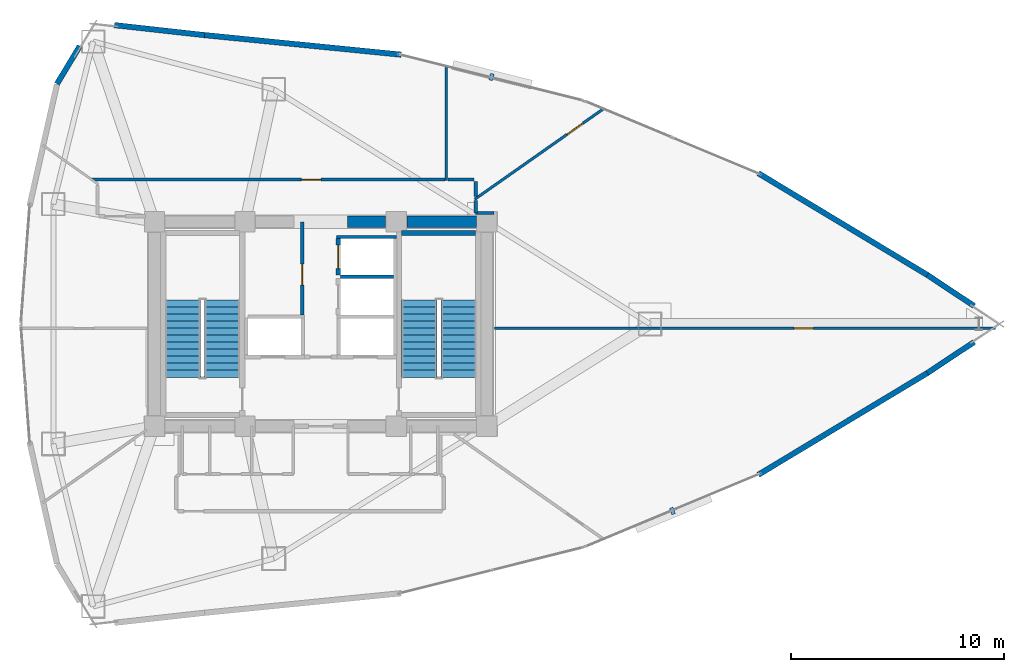
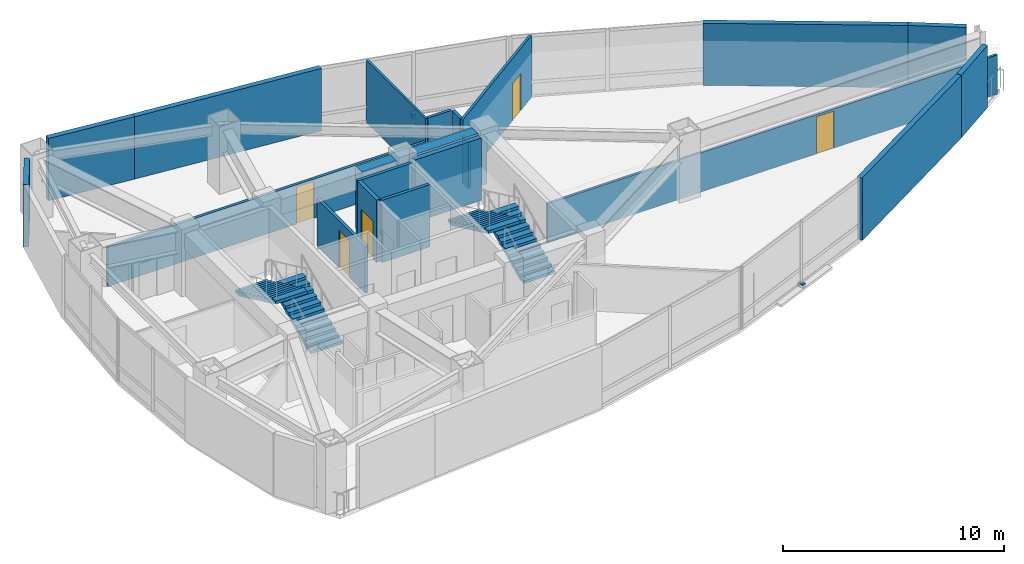
# One storey, part 15 of 18: 22 walls, 5 doors, 4 stair flights, 2 discrete accessories, 5 openings, 2 elements without a shape of their own.
"""IFC4 building model written with IfcOpenShell, lengths in metres."""

from ifc_helpers import new_model, si_unit, direction, frame, frame_2d, origin, origin_2d, place, context, subcontext, project, spatial, polyline, rectangle, outline, extrude, material, layer, layer_set, type_object, element, fill, aggregate, save


model = new_model("IFC4")

# Units and contexts
model_context = context("Model", 3, precision=1e-05, world=origin(), true_north=direction((0.0, 1.0)))
body_context = subcontext(model_context, "Body", "Model", "MODEL_VIEW")
ifc_project = project(units=[si_unit("LENGTHUNIT", "METRE"), si_unit("AREAUNIT", "SQUARE_METRE"), si_unit("VOLUMEUNIT", "CUBIC_METRE"), si_unit("PLANEANGLEUNIT", "RADIAN"), si_unit("MASSUNIT", "GRAM", prefix="KILO")], contexts=[model_context])

# Site, building, storey
site_placement = place(None, origin())
site = spatial("IfcSite", under=ifc_project, at=site_placement, CompositionType="ELEMENT")
building_placement = place(site_placement, origin())
building = spatial("IfcBuilding", under=site, at=building_placement, Name="Menara Vayukalpa", CompositionType="ELEMENT")
storey_placement = place(building_placement, frame((0.0, 0.0, 169.199951171875)))
storey = spatial("IfcBuildingStorey", under=building, at=storey_placement, Name="L42", CompositionType="ELEMENT", Elevation=169.199951171875)

# Walls
ifc_material_1 = material(Name="Concrete C60/75", Category="concrete")
ifc_layer_1 = layer(ifc_material_1, 0.550048828125)
ifc_layer_set_1 = layer_set([ifc_layer_1], Name="Concrete C60/75")
wall_type_1 = type_object("IfcWallType", Name="WAL-CW550", PredefinedType="SHEAR", material=ifc_layer_set_1)
wall_1_placement = place(storey_placement, frame((26.85009765625, 26.800048828125, 0.0), z_axis=(0.0, 0.0, 1.0), x_axis=(1.0, 0.0, 0.0)))
element("IfcWall", 1, at=wall_1_placement, inside=storey, type_object=wall_type_1, Name="L42 Buttressed Core Shear Wall CWN3", PredefinedType="SHEAR", context=body_context, shape_type="SweptSolid", body=[
    extrude(rectangle(XDim=1.804931640625, YDim=0.550048828125, at=frame_2d((0.90234375, 0.0))), origin(), (0.0, 0.0, 1.0), 3.43994140625),
])
wall_2_placement = place(storey_placement, frame((29.64501953125, 26.800048828125, 0.0), z_axis=(0.0, 0.0, 1.0), x_axis=(1.0, 0.0, 0.0)))
element("IfcWall", 2, at=wall_2_placement, inside=storey, type_object=wall_type_1, Name="L42 Buttressed Core Shear Wall CWN4", PredefinedType="SHEAR", context=body_context, shape_type="SweptSolid", body=[
    extrude(rectangle(XDim=3.260009765625, YDim=0.550048828125, at=frame_2d((1.6298828125, 0.0))), origin(), (0.0, 0.0, 1.0), 3.43994140625),
])
ifc_material_2 = material(Name="Insulated Precast Concrete C40/50", Category="concrete")
ifc_layer_2 = layer(ifc_material_2, 0.260009765625)
ifc_layer_set_2 = layer_set([ifc_layer_2], Name="Insulated Precast Concrete C40/50")
wall_type_2 = type_object("IfcWallType", Name="WAL-EXT260", PredefinedType="PARTITIONING", material=ifc_layer_set_2)
for number, where, z_axis, x_axis, name in (
    (3, (56.278076171875, 21.154541015625, 0.0), (0.0, 0.0, 1.0), (-0.833145530287, -0.553053817782, 0.0), "L42 Perimeter Terracotta Pier Wall 01"),
    (4, (54.081298828125, 24.3037109375, 0.0), (0.0, 0.0, 1.0), (0.833145530287, -0.553053817782, 0.0), "L42 Perimeter Terracotta Pier Wall 02"),
):
    element("IfcWall", number, at=place(storey_placement, frame(where, z_axis=z_axis, x_axis=x_axis)), inside=storey, type_object=wall_type_2, Name=name, PredefinedType="PARTITIONING", context=body_context, shape_type="SweptSolid", body=[
        extrude(rectangle(XDim=2.63671875, YDim=0.260009765625, at=frame_2d((1.318359375, 0.0))), origin(), (0.0, 0.0, 1.0), 3.43994140625),
    ])
wall_3_placement = place(storey_placement, frame((46.14111328125, 29.08203125, 0.0), z_axis=(0.0, 0.0, 1.0), x_axis=(0.856788694159, -0.515667658053, 0.0)))
element("IfcWall", 5, at=wall_3_placement, inside=storey, type_object=wall_type_2, Name="L42 Perimeter Terracotta Pier Wall 03", PredefinedType="PARTITIONING", context=body_context, shape_type="SweptSolid", body=[
    extrude(rectangle(XDim=9.279052734375, YDim=0.260009765625, at=frame_2d((4.6396484375, 0.0))), origin(), (0.0, 0.0, 1.0), 3.43994140625),
])
wall_4_placement = place(storey_placement, frame((20.141357421875, 35.564697265625, 0.0), z_axis=(0.0, 0.0, 1.0), x_axis=(0.9950896707, -0.098977508888, 0.0)))
element("IfcWall", 6, at=wall_4_placement, inside=storey, type_object=wall_type_2, Name="L42 Perimeter Terracotta Pier Wall 06", PredefinedType="PARTITIONING", context=body_context, shape_type="SweptSolid", body=[
    extrude(rectangle(XDim=9.279541015625, YDim=0.260009765625, at=frame_2d((4.6396484375, 0.0))), origin(), (0.0, 0.0, 1.0), 3.43994140625),
])
wall_5_placement = place(storey_placement, frame((15.92138671875, 36.031494140625, 0.0), z_axis=(0.0, 0.0, 1.0), x_axis=(0.993933978819, -0.109978387641, 0.0)))
element("IfcWall", 7, at=wall_5_placement, inside=storey, type_object=wall_type_2, Name="L42 Perimeter Terracotta Pier Wall 07", PredefinedType="PARTITIONING", context=body_context, shape_type="SweptSolid", body=[
    extrude(rectangle(XDim=4.2578125, YDim=0.260009765625, at=frame_2d((2.12890625, 0.0))), origin(), (0.0, 0.0, 1.0), 3.43994140625),
])
wall_6_placement = place(storey_placement, frame((13.22119140625, 33.272216796875, 0.0), z_axis=(0.0, 0.0, 1.0), x_axis=(0.516157331647, 0.856493788061, 0.0)))
element("IfcWall", 8, at=wall_6_placement, inside=storey, type_object=wall_type_2, Name="L42 Perimeter Terracotta Pier Wall 08", PredefinedType="PARTITIONING", context=body_context, shape_type="SweptSolid", body=[
    extrude(rectangle(XDim=2.0732421875, YDim=0.260009765625, at=frame_2d((1.03662109375, 0.0))), origin(), (0.0, 0.0, 1.0), 3.43994140625),
])
wall_7_placement = place(storey_placement, frame((54.09130859375, 19.702880859375, 0.0), z_axis=(0.0, 0.0, 1.0), x_axis=(-0.856788694159, -0.515667658053, 0.0)))
element("IfcWall", 9, at=wall_7_placement, inside=storey, type_object=wall_type_2, Name="L42 Perimeter Terracotta Pier Wall 18", PredefinedType="PARTITIONING", context=body_context, shape_type="SweptSolid", body=[
    extrude(rectangle(XDim=9.279052734375, YDim=0.260009765625, at=frame_2d((4.6396484375, 0.0))), origin(), (0.0, 0.0, 1.0), 3.43994140625),
])
ifc_material_3 = material(Name="Lightweight Concrete Blockwork C16/20", Category="masonry")
ifc_layer_3 = layer(ifc_material_3, 0.159912109375)
ifc_layer_set_3 = layer_set([ifc_layer_3], Name="Lightweight Concrete Blockwork C16/20")
wall_type_3 = type_object("IfcWallType", Name="WAL-FR150", PredefinedType="PARTITIONING", material=ifc_layer_set_3)
wall_8_placement = place(storey_placement, frame((26.530029296875, 24.215087890625, 0.0), z_axis=(0.0, 0.0, 1.0), x_axis=(1.0, 0.0, 0.0)))
element("IfcWall", 10, at=wall_8_placement, inside=storey, type_object=wall_type_3, Name="L42 Interior Partition IW-L42-SHM-E32", PredefinedType="PARTITIONING", context=body_context, shape_type="SweptSolid", body=[
    extrude(rectangle(XDim=2.489990234375, YDim=0.159912109375, at=frame_2d((1.2451171875, 0.0))), origin(), (0.0, 0.0, 1.0), 3.43994140625),
])
wall_9_placement = place(storey_placement, frame((26.340087890625, 26.0849609375, 0.0), z_axis=(0.0, 0.0, 1.0), x_axis=(1.0, 0.0, 0.0)))
element("IfcWall", 11, at=wall_9_placement, inside=storey, type_object=wall_type_3, Name="L42 Interior Partition IW-L42-SHM-E2N", PredefinedType="PARTITIONING", context=body_context, shape_type="SweptSolid", body=[
    extrude(rectangle(XDim=2.829833984375, YDim=0.159912109375, at=frame_2d((1.4150390625, 0.0))), origin(), (0.0, 0.0, 1.0), 3.43994140625),
])

# Wall, opening, door
wall_10_placement = place(storey_placement, frame((24.739990234375, 22.429931640625, 0.0), z_axis=(0.0, 0.0, 1.0), x_axis=(0.0, 1.0, 0.0)))
wall_10 = element("IfcWall", 12, at=wall_10_placement, inside=storey, type_object=wall_type_3, Name="L42 Interior Partition IW-L42-LV7W", PredefinedType="PARTITIONING", context=body_context, shape_type="SweptSolid", body=[
    extrude(rectangle(XDim=4.3701171875, YDim=0.159912109375, at=frame_2d((2.18505859375, 0.0))), origin(), (0.0, 0.0, 1.0), 2.570068359375),
])
opening_1_placement = place(wall_10_placement, frame((1.39990234375, 0.0, 0.0)))
opening_1 = element("IfcOpeningElement", 13, at=opening_1_placement, cuts=wall_10, Name="Opening ID3", PredefinedType="OPENING", context=body_context, shape_type="SweptSolid", body=[
    extrude(rectangle(XDim=0.97998046875, YDim=2.06005859375, at=frame_2d((0.489990234375, 1.030029296875))), frame((0.0, 0.08984375, 0.0), z_axis=(0.0, -1.0, 0.0), x_axis=(1.0, 0.0, 0.0)), (0.0, 0.0, 1.0), 0.179931640625),
])
ifc_material_4 = material(Name="Fire-Rated Powder-Coated Steel Door", Category="steel")
door_type_1 = type_object("IfcDoorType", Name="DR-FD60", OperationType="NOTDEFINED", PredefinedType="DOOR", material=ifc_material_4)
door_1_placement = place(opening_1_placement, origin())
door_1 = element("IfcDoor", 14, at=door_1_placement, inside=storey, type_object=door_type_1, Name="L42 Interior Door DR-L42-LV7W", OperationType="SINGLE_SWING_LEFT", OverallHeight=2.06005859375, OverallWidth=0.97998046875, PredefinedType="DOOR", context=body_context, shape_type="SweptSolid", body=[
    extrude(rectangle(XDim=0.97998046875, YDim=2.06005859375, at=frame_2d((0.489990234375, 1.030029296875))), frame((0.0, 0.02490234375, 0.0), z_axis=(0.0, -1.0, 0.0), x_axis=(1.0, 0.0, 0.0)), (0.0, 0.0, 1.0), 0.050048828125),
])
fill(opening_1, door_1)

ifc_material_5 = material(Name="Lightweight Concrete Blockwork C16/20", Category="masonry")
ifc_layer_4 = layer(ifc_material_5, 0.199951171875)
ifc_layer_set_4 = layer_set([ifc_layer_4], Name="Lightweight Concrete Blockwork C16/20")
wall_type_4 = type_object("IfcWallType", Name="WAL-FR200", PredefinedType="PARTITIONING", material=ifc_layer_set_4)
wall_11_placement = place(storey_placement, frame((26.419921875, 24.2900390625, 0.0), z_axis=(0.0, 0.0, 1.0), x_axis=(0.0, 1.0, 0.0)))
wall_11 = element("IfcWall", 15, at=wall_11_placement, inside=storey, type_object=wall_type_4, Name="L42 Interior Partition IW-L42-SH-E2", PredefinedType="PARTITIONING", context=body_context, shape_type="SweptSolid", body=[
    extrude(rectangle(XDim=1.719970703125, YDim=0.199951171875, at=frame_2d((0.85986328125, 0.0))), origin(), (0.0, 0.0, 1.0), 3.43994140625),
])
opening_2_placement = place(wall_11_placement, frame((0.31005859375, 0.0, 0.0)))
opening_2 = element("IfcOpeningElement", 16, at=opening_2_placement, cuts=wall_11, Name="Opening LD1", PredefinedType="OPENING", context=body_context, shape_type="SweptSolid", body=[
    extrude(rectangle(XDim=1.10009765625, YDim=2.080078125, at=frame_2d((0.550048828125, 1.0400390625))), frame((0.0, 0.10986328125, 0.0), z_axis=(0.0, -1.0, 0.0), x_axis=(1.0, 0.0, 0.0)), (0.0, 0.0, 1.0), 0.219970703125),
])
ifc_material_6 = material(Name="Brushed Stainless Steel 316 Lift Door", Category="steel")
door_type_2 = type_object("IfcDoorType", Name="DR-LD110", OperationType="NOTDEFINED", PredefinedType="DOOR", material=ifc_material_6)
door_2_placement = place(opening_2_placement, origin())
door_2 = element("IfcDoor", 17, at=door_2_placement, inside=storey, type_object=door_type_2, Name="L42 Interior Door DR-L42-LD-E2", OperationType="DOUBLE_DOOR_SLIDING", OverallHeight=2.080078125, OverallWidth=1.10009765625, PredefinedType="DOOR", context=body_context, shape_type="SweptSolid", body=[
    extrude(rectangle(XDim=1.10009765625, YDim=2.080078125, at=frame_2d((0.550048828125, 1.0400390625))), frame((0.0, 0.02490234375, 0.0), z_axis=(0.0, -1.0, 0.0), x_axis=(1.0, 0.0, 0.0)), (0.0, 0.0, 1.0), 0.050048828125),
])
fill(opening_2, door_2)

# Wall
ifc_material_7 = material(Name="Acoustic Mineral Stud Partition", Category="masonry")
ifc_layer_5 = layer(ifc_material_7, 0.110107421875)
ifc_layer_set_5 = layer_set([ifc_layer_5], Name="Acoustic Mineral Stud Partition")
wall_type_5 = type_object("IfcWallType", Name="WAL-PT110", PredefinedType="PARTITIONING", material=ifc_layer_set_5)
wall_12_placement = place(storey_placement, frame((31.5, 28.72998046875, 0.0), z_axis=(0.0, 0.0, 1.0), x_axis=(0.0, 1.0, 0.0)))
element("IfcWall", 18, at=wall_12_placement, inside=storey, type_object=wall_type_5, Name="L42 Interior Partition IW-L42-RDIV01", PredefinedType="PARTITIONING", context=body_context, shape_type="SweptSolid", body=[
    extrude(rectangle(XDim=5.37744140625, YDim=0.110107421875, at=frame_2d((2.688720703125, 0.0))), origin(), (0.0, 0.0, 1.0), 3.43994140625),
])

# Wall, opening, door
ifc_material_8 = material(Name="Gypsum Drywall Steel Stud Assembly", Category="steel")
ifc_layer_6 = layer(ifc_material_8, 0.125)
ifc_layer_set_6 = layer_set([ifc_layer_6], Name="Gypsum Drywall Steel Stud Assembly")
wall_type_6 = type_object("IfcWallType", Name="WAL-PT125", PredefinedType="PARTITIONING", material=ifc_layer_set_6)
wall_13_placement = place(storey_placement, frame((33.77001953125, 21.800048828125, 0.0), z_axis=(0.0, 0.0, 1.0), x_axis=(1.0, 0.0, 0.0)))
wall_13 = element("IfcWall", 19, at=wall_13_placement, inside=storey, type_object=wall_type_6, Name="L42 Interior Partition IW-L42-RDIV03", PredefinedType="PARTITIONING", context=body_context, shape_type="SweptSolid", body=[
    extrude(rectangle(XDim=23.498779296875, YDim=0.125, at=frame_2d((11.74951171875, 0.0))), origin(), (0.0, 0.0, 1.0), 2.170166015625),
])
opening_3_placement = place(wall_13_placement, frame((14.041748046875, 0.0, 0.0)))
opening_3 = element("IfcOpeningElement", 20, at=opening_3_placement, cuts=wall_13, Name="Opening ID6", PredefinedType="OPENING", context=body_context, shape_type="SweptSolid", body=[
    extrude(rectangle(XDim=0.919921875, YDim=2.050048828125, at=frame_2d((0.4599609375, 1.02490234375))), frame((0.0, 0.072509765625, 0.0), z_axis=(0.0, -1.0, 0.0), x_axis=(1.0, 0.0, 0.0)), (0.0, 0.0, 1.0), 0.14501953125),
])
ifc_material_9 = material(Name="Acoustic Hardwood Veneer Timber Door", Category="wood")
door_type_3 = type_object("IfcDoorType", Name="DR-INT92", OperationType="NOTDEFINED", PredefinedType="DOOR", material=ifc_material_9)
door_3_placement = place(opening_3_placement, origin())
door_3 = element("IfcDoor", 21, at=door_3_placement, inside=storey, type_object=door_type_3, Name="L42 Interior Door DR-L42-STE04", OperationType="SINGLE_SWING_LEFT", OverallHeight=2.050048828125, OverallWidth=0.919921875, PredefinedType="DOOR", context=body_context, shape_type="SweptSolid", body=[
    extrude(rectangle(XDim=0.919921875, YDim=2.050048828125, at=frame_2d((0.4599609375, 1.02490234375))), frame((0.0, 0.02490234375, 0.0), z_axis=(0.0, -1.0, 0.0), x_axis=(1.0, 0.0, 0.0)), (0.0, 0.0, 1.0), 0.050048828125),
])
fill(opening_3, door_3)

wall_14_placement = place(storey_placement, frame((32.830078125, 27.853515625, 0.0), z_axis=(0.0, 0.0, 1.0), x_axis=(0.818197573469, 0.574937153756, 0.0)))
wall_14 = element("IfcWall", 22, at=wall_14_placement, inside=storey, type_object=wall_type_6, Name="L42 Interior Partition IW-L42-RDIV05", PredefinedType="PARTITIONING", context=body_context, shape_type="SweptSolid", body=[
    extrude(rectangle(XDim=7.394775390625, YDim=0.125, at=frame_2d((3.697265625, 0.0))), origin(), (0.0, 0.0, 1.0), 3.43994140625),
])
opening_4_placement = place(wall_14_placement, frame((5.294921875, 0.0, 0.0)))
opening_4 = element("IfcOpeningElement", 23, at=opening_4_placement, cuts=wall_14, Name="Opening ID6", PredefinedType="OPENING", context=body_context, shape_type="SweptSolid", body=[
    extrude(rectangle(XDim=0.919921875, YDim=2.050048828125, at=frame_2d((0.4599609375, 1.02490234375))), frame((0.0, 0.072509765625, 0.0), z_axis=(0.0, -1.0, 0.0), x_axis=(1.0, 0.0, 0.0)), (0.0, 0.0, 1.0), 0.14501953125),
])
door_4_placement = place(opening_4_placement, origin())
door_4 = element("IfcDoor", 24, at=door_4_placement, inside=storey, type_object=door_type_3, Name="L42 Interior Door DR-L42-STE05", OperationType="SINGLE_SWING_RIGHT", OverallHeight=2.050048828125, OverallWidth=0.919921875, PredefinedType="DOOR", context=body_context, shape_type="SweptSolid", body=[
    extrude(rectangle(XDim=0.919921875, YDim=2.050048828125, at=frame_2d((0.4599609375, 1.02490234375))), frame((0.0, 0.02490234375, 0.0), z_axis=(0.0, -1.0, 0.0), x_axis=(1.0, 0.0, 0.0)), (0.0, 0.0, 1.0), 0.050048828125),
])
fill(opening_4, door_4)

# Walls
ifc_material_10 = material(Name="Gypsum Drywall Acoustic Stud Assembly", Category="masonry")
ifc_layer_7 = layer(ifc_material_10, 0.14501953125)
ifc_layer_set_7 = layer_set([ifc_layer_7], Name="Gypsum Drywall Acoustic Stud Assembly")
wall_type_7 = type_object("IfcWallType", Name="WAL-PT150", PredefinedType="PARTITIONING", material=ifc_layer_set_7)
wall_15_placement = place(storey_placement, frame((33.739990234375, 27.219970703125, 0.0), z_axis=(0.0, 0.0, 1.0), x_axis=(-1.0, 0.0, 0.0)))
element("IfcWall", 25, at=wall_15_placement, inside=storey, type_object=wall_type_7, Name="L42 Interior Partition IW-L42-CRM04-1", PredefinedType="PARTITIONING", context=body_context, shape_type="SweptSolid", body=[
    extrude(rectangle(XDim=0.860107421875, YDim=0.14501953125, at=frame_2d((0.43017578125, 0.0))), origin(), (0.0, 0.0, 1.0), 2.570068359375),
])
wall_16_placement = place(storey_placement, frame((32.8798828125, 27.219970703125, 0.0), z_axis=(0.0, 0.0, 1.0), x_axis=(0.0, 1.0, 0.0)))
element("IfcWall", 26, at=wall_16_placement, inside=storey, type_object=wall_type_7, Name="L42 Interior Partition IW-L42-CRM04-2", PredefinedType="PARTITIONING", context=body_context, shape_type="SweptSolid", body=[
    extrude(rectangle(XDim=0.5830078125, YDim=0.14501953125, at=frame_2d((0.29150390625, 0.0))), origin(), (0.0, 0.0, 1.0), 2.570068359375),
])
wall_17_placement = place(storey_placement, frame((32.8798828125, 27.97412109375, 0.0), z_axis=(0.0, 0.0, 1.0), x_axis=(0.0, 1.0, 0.0)))
element("IfcWall", 27, at=wall_17_placement, inside=storey, type_object=wall_type_7, Name="L42 Interior Partition IW-L42-CRM05-1", PredefinedType="PARTITIONING", context=body_context, shape_type="SweptSolid", body=[
    extrude(rectangle(XDim=0.725830078125, YDim=0.14501953125, at=frame_2d((0.36279296875, 0.0))), origin(), (0.0, 0.0, 1.0), 3.43994140625),
])
wall_18_placement = place(storey_placement, frame((32.800048828125, 28.780029296875, 0.0), z_axis=(0.0, 0.0, 1.0), x_axis=(-1.0, 0.0, 0.0)))
element("IfcWall", 28, at=wall_18_placement, inside=storey, type_object=wall_type_7, Name="L42 Interior Partition IW-L42-CRM05-2", PredefinedType="PARTITIONING", context=body_context, shape_type="SweptSolid", body=[
    extrude(rectangle(XDim=1.22998046875, YDim=0.14501953125, at=frame_2d((0.614990234375, 0.0))), origin(), (0.0, 0.0, 1.0), 3.43994140625),
])

# Wall, opening, door
wall_19_placement = place(storey_placement, frame((31.429931640625, 28.780029296875, 0.0), z_axis=(0.0, 0.0, 1.0), x_axis=(-1.0, 0.0, 0.0)))
wall_19 = element("IfcWall", 29, at=wall_19_placement, inside=storey, type_object=wall_type_7, Name="L42 Interior Partition IW-L42-CRM06-1", PredefinedType="PARTITIONING", context=body_context, shape_type="SweptSolid", body=[
    extrude(rectangle(XDim=16.578369140625, YDim=0.14501953125, at=frame_2d((8.2890625, 0.0))), origin(), (0.0, 0.0, 1.0), 2.170166015625),
])
opening_5_placement = place(wall_19_placement, frame((5.811279296875, 0.0, 0.0)))
opening_5 = element("IfcOpeningElement", 30, at=opening_5_placement, cuts=wall_19, Name="Opening ID6", PredefinedType="OPENING", context=body_context, shape_type="SweptSolid", body=[
    extrude(rectangle(XDim=0.919921875, YDim=2.050048828125, at=frame_2d((0.4599609375, 1.02490234375))), frame((0.0, 0.08251953125, 0.0), z_axis=(0.0, -1.0, 0.0), x_axis=(1.0, 0.0, 0.0)), (0.0, 0.0, 1.0), 0.1650390625),
])
door_5_placement = place(opening_5_placement, origin())
door_5 = element("IfcDoor", 31, at=door_5_placement, inside=storey, type_object=door_type_3, Name="L42 Interior Door DR-L42-RM06", OperationType="SINGLE_SWING_RIGHT", OverallHeight=2.050048828125, OverallWidth=0.919921875, PredefinedType="DOOR", context=body_context, shape_type="SweptSolid", body=[
    extrude(rectangle(XDim=0.919921875, YDim=2.050048828125, at=frame_2d((0.4599609375, 1.02490234375))), frame((0.0, 0.02490234375, 0.0), z_axis=(0.0, -1.0, 0.0), x_axis=(1.0, 0.0, 0.0)), (0.0, 0.0, 1.0), 0.050048828125),
])
fill(opening_5, door_5)

# Wall
ifc_material_11 = material(Name="Concrete C50/60", Category="concrete")
ifc_layer_8 = layer(ifc_material_11, 0.25)
ifc_layer_set_8 = layer_set([ifc_layer_8], Name="Concrete C50/60")
wall_type_8 = type_object("IfcWallType", Name="WAL-SW250", PredefinedType="SHEAR", material=ifc_layer_set_8)
wall_20_placement = place(storey_placement, frame((29.39990234375, 26.27490234375, 0.0), z_axis=(0.0, 0.0, 1.0), x_axis=(1.0, 0.0, 0.0)))
element("IfcWall", 32, at=wall_20_placement, inside=storey, type_object=wall_type_8, Name="L42 ST2 Structural Stair Shaft Wall N", PredefinedType="SHEAR", context=body_context, shape_type="SweptSolid", body=[
    extrude(rectangle(XDim=3.47119140625, YDim=0.25, at=frame_2d((1.735595703125, 0.0))), origin(), (0.0, 0.0, 1.0), 3.43994140625),
])

# Stair, stair flights
ifc_material_12 = material(Name="Precast Concrete C40/50", Category="concrete")
stair_type = type_object("IfcStairType", Name="STR-T04", PredefinedType="DOUBLE_RETURN_STAIR", material=ifc_material_12)
stair_1_placement = place(storey_placement, origin())
stair_1 = element("IfcStair", 33, at=stair_1_placement, inside=storey, type_object=stair_type, Name="L42 Core Exit Stair ST-1", PredefinedType="DOUBLE_RETURN_STAIR")
ifc_material_13 = material(Name="Precast Concrete C40/50", Category="concrete")
stair_flight_type = type_object("IfcStairFlightType", Name="STF-T04", PredefinedType="STRAIGHT", material=ifc_material_13)
stair_flight_1_placement = place(storey_placement, frame((20.97509765625, 19.5, 0.0), z_axis=(0.0, 0.0, 1.0), x_axis=(0.0, 1.0, 0.0)))
stair_flight_1 = element("IfcStairFlight", 34, at=stair_flight_1_placement, type_object=stair_flight_type, Name="ST-1 flight 1", NumberOfRisers=12, NumberOfTreads=11, PredefinedType="STRAIGHT", RiserHeight=0.155, TreadLength=0.33, context=body_context, shape_type="SweptSolid", body=[
    extrude(outline(polyline([(0.0, 0.0), (0.0, 0.155029296875), (0.330078125, 0.155029296875), (0.330078125, 0.31005859375), (0.659912109375, 0.31005859375), (0.659912109375, 0.465087890625), (0.989990234375, 0.465087890625), (0.989990234375, 0.6201171875), (1.320068359375, 0.6201171875), (1.320068359375, 0.77490234375), (1.64990234375, 0.77490234375), (1.64990234375, 0.929931640625), (1.97998046875, 0.929931640625), (1.97998046875, 1.0849609375), (2.31005859375, 1.0849609375), (2.31005859375, 1.239990234375), (2.639892578125, 1.239990234375), (2.639892578125, 1.39501953125), (2.969970703125, 1.39501953125), (2.969970703125, 1.550048828125), (3.300048828125, 1.550048828125), (3.300048828125, 1.705078125), (3.6298828125, 1.705078125), (3.6298828125, 1.860107421875), (3.6298828125, 1.539306640625), (0.3525390625, 0.0), (0.0, 0.0)])), frame((0.0, 0.824951171875, 0.0), z_axis=(0.0, -1.0, 0.0), x_axis=(1.0, 0.0, 0.0)), (0.0, 0.0, 1.0), 1.64990234375),
])
stair_flight_2_placement = place(storey_placement, frame((19.125, 23.1298828125, 1.860107421875), z_axis=(0.0, 0.0, 1.0), x_axis=(0.0, -1.0, 0.0)))
stair_flight_2 = element("IfcStairFlight", 35, at=stair_flight_2_placement, type_object=stair_flight_type, Name="ST-1 flight 2", NumberOfRisers=12, NumberOfTreads=11, PredefinedType="STRAIGHT", RiserHeight=0.155, TreadLength=0.33, context=body_context, shape_type="SweptSolid", body=[
    extrude(outline(polyline([(0.0, 0.0), (0.0, 0.155029296875), (0.330078125, 0.155029296875), (0.330078125, 0.31005859375), (0.659912109375, 0.31005859375), (0.659912109375, 0.465087890625), (0.989990234375, 0.465087890625), (0.989990234375, 0.6201171875), (1.320068359375, 0.6201171875), (1.320068359375, 0.77490234375), (1.64990234375, 0.77490234375), (1.64990234375, 0.929931640625), (1.97998046875, 0.929931640625), (1.97998046875, 1.0849609375), (2.31005859375, 1.0849609375), (2.31005859375, 1.239990234375), (2.639892578125, 1.239990234375), (2.639892578125, 1.39501953125), (2.969970703125, 1.39501953125), (2.969970703125, 1.550048828125), (3.300048828125, 1.550048828125), (3.300048828125, 1.705078125), (3.6298828125, 1.705078125), (3.6298828125, 1.860107421875), (3.6298828125, 1.539306640625), (0.3525390625, 0.0), (0.0, 0.0)])), frame((0.0, 0.824951171875, 0.0), z_axis=(0.0, -1.0, 0.0), x_axis=(1.0, 0.0, 0.0)), (0.0, 0.0, 1.0), 1.64990234375),
])
aggregate(stair_1, [stair_flight_1, stair_flight_2])

stair_2_placement = place(storey_placement, origin())
stair_2 = element("IfcStair", 36, at=stair_2_placement, inside=storey, type_object=stair_type, Name="L42 Core Exit Stair ST-2", PredefinedType="DOUBLE_RETURN_STAIR")
stair_flight_3_placement = place(storey_placement, frame((32.074951171875, 19.5, 0.0), z_axis=(0.0, 0.0, 1.0), x_axis=(0.0, 1.0, 0.0)))
stair_flight_3 = element("IfcStairFlight", 37, at=stair_flight_3_placement, type_object=stair_flight_type, Name="ST-2 flight 1", NumberOfRisers=12, NumberOfTreads=11, PredefinedType="STRAIGHT", RiserHeight=0.155, TreadLength=0.33, context=body_context, shape_type="SweptSolid", body=[
    extrude(outline(polyline([(0.0, 0.0), (0.0, 0.155029296875), (0.330078125, 0.155029296875), (0.330078125, 0.31005859375), (0.659912109375, 0.31005859375), (0.659912109375, 0.465087890625), (0.989990234375, 0.465087890625), (0.989990234375, 0.6201171875), (1.320068359375, 0.6201171875), (1.320068359375, 0.77490234375), (1.64990234375, 0.77490234375), (1.64990234375, 0.929931640625), (1.97998046875, 0.929931640625), (1.97998046875, 1.0849609375), (2.31005859375, 1.0849609375), (2.31005859375, 1.239990234375), (2.639892578125, 1.239990234375), (2.639892578125, 1.39501953125), (2.969970703125, 1.39501953125), (2.969970703125, 1.550048828125), (3.300048828125, 1.550048828125), (3.300048828125, 1.705078125), (3.6298828125, 1.705078125), (3.6298828125, 1.860107421875), (3.6298828125, 1.539306640625), (0.3525390625, 0.0), (0.0, 0.0)])), frame((0.0, 0.824951171875, 0.0), z_axis=(0.0, -1.0, 0.0), x_axis=(1.0, 0.0, 0.0)), (0.0, 0.0, 1.0), 1.64990234375),
])
stair_flight_4_placement = place(storey_placement, frame((30.22509765625, 23.1298828125, 1.860107421875), z_axis=(0.0, 0.0, 1.0), x_axis=(0.0, -1.0, 0.0)))
stair_flight_4 = element("IfcStairFlight", 38, at=stair_flight_4_placement, type_object=stair_flight_type, Name="ST-2 flight 2", NumberOfRisers=12, NumberOfTreads=11, PredefinedType="STRAIGHT", RiserHeight=0.155, TreadLength=0.33, context=body_context, shape_type="SweptSolid", body=[
    extrude(outline(polyline([(0.0, 0.0), (0.0, 0.155029296875), (0.330078125, 0.155029296875), (0.330078125, 0.31005859375), (0.659912109375, 0.31005859375), (0.659912109375, 0.465087890625), (0.989990234375, 0.465087890625), (0.989990234375, 0.6201171875), (1.320068359375, 0.6201171875), (1.320068359375, 0.77490234375), (1.64990234375, 0.77490234375), (1.64990234375, 0.929931640625), (1.97998046875, 0.929931640625), (1.97998046875, 1.0849609375), (2.31005859375, 1.0849609375), (2.31005859375, 1.239990234375), (2.639892578125, 1.239990234375), (2.639892578125, 1.39501953125), (2.969970703125, 1.39501953125), (2.969970703125, 1.550048828125), (3.300048828125, 1.550048828125), (3.300048828125, 1.705078125), (3.6298828125, 1.705078125), (3.6298828125, 1.860107421875), (3.6298828125, 1.539306640625), (0.3525390625, 0.0), (0.0, 0.0)])), frame((0.0, 0.824951171875, 0.0), z_axis=(0.0, -1.0, 0.0), x_axis=(1.0, 0.0, 0.0)), (0.0, 0.0, 1.0), 1.64990234375),
])
aggregate(stair_2, [stair_flight_3, stair_flight_4])

# Discrete accessories
ifc_material_14 = material(Name="Stainless Steel 316 Sunshade Bracket", Category="steel")
discrete_accessory_type = type_object("IfcDiscreteAccessoryType", Name="ACC-BRK1", PredefinedType="BRACKET", material=ifc_material_14)
for number, where, z_axis, x_axis, name in (
    (39, (33.62109375, 33.596435546875, -0.16015625), (0.0, 0.0, 1.0), (-0.969999438853, 0.243107154615, 0.0), "L42 Terracotta Sunshade Bracket 05"),
    (40, (42.110107421875, 13.220947265625, -0.16015625), (0.0, 0.0, 1.0), (0.922881225826, 0.38508472187, 0.0), "L42 Terracotta Sunshade Bracket 17"),
):
    element("IfcDiscreteAccessory", number, at=place(storey_placement, frame(where, z_axis=z_axis, x_axis=x_axis)), inside=storey, type_object=discrete_accessory_type, Name=name, PredefinedType="BRACKET", context=body_context, shape_type="SweptSolid", body=[
        extrude(rectangle(XDim=0.179931640625, YDim=0.320068359375, at=origin_2d()), origin(), (0.0, 0.0, 1.0), 0.219970703125),
    ])

save(model, "model.ifc")
